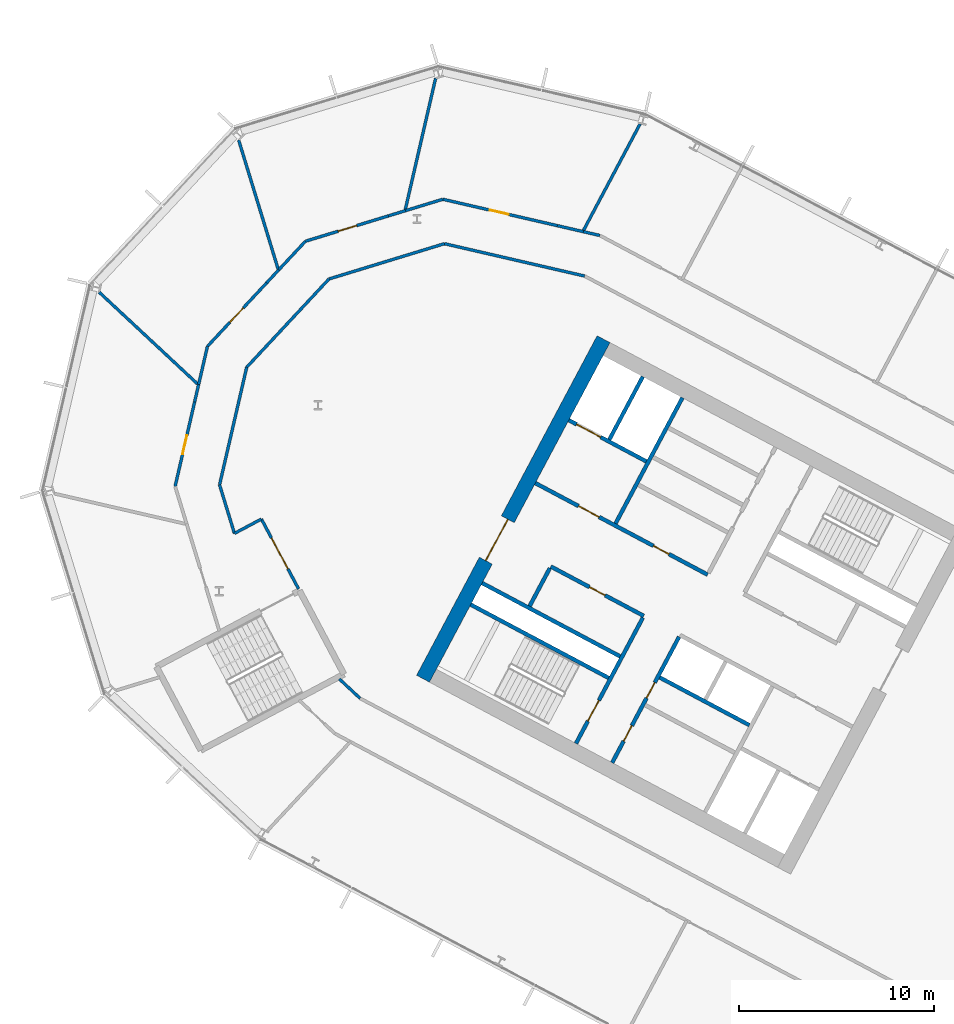
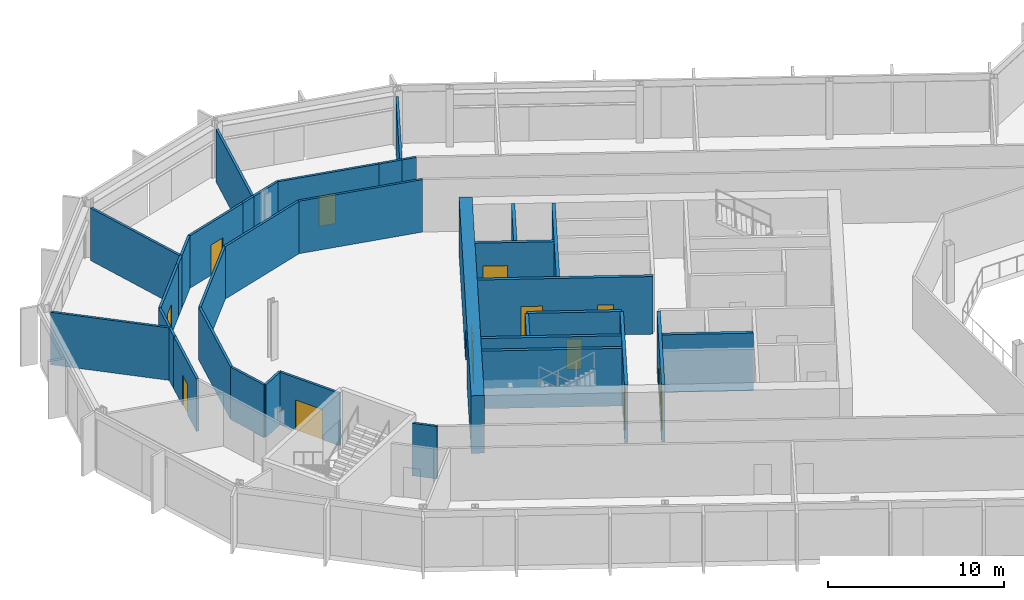
# One storey, part 14 of 28: 36 walls, 13 doors, 13 openings.
"""IFC4 building model written with IfcOpenShell, lengths in metres."""

from ifc_helpers import new_model, si_unit, direction, frame, frame_2d, origin, place, context, subcontext, project, spatial, rectangle, extrude, material, layer, layer_set, type_object, element, fill, save


model = new_model("IFC4")

# Units and contexts
model_context = context("Model", 3, precision=1e-05, world=origin(), true_north=direction((0.0, 1.0)))
body_context = subcontext(model_context, "Body", "Model", "MODEL_VIEW")
ifc_project = project(units=[si_unit("LENGTHUNIT", "METRE"), si_unit("AREAUNIT", "SQUARE_METRE"), si_unit("VOLUMEUNIT", "CUBIC_METRE"), si_unit("PLANEANGLEUNIT", "RADIAN"), si_unit("MASSUNIT", "GRAM", prefix="KILO")], contexts=[model_context])

# Site, building, storey
site_placement = place(None, origin())
site = spatial("IfcSite", under=ifc_project, at=site_placement, CompositionType="ELEMENT")
building_placement = place(site_placement, origin())
building = spatial("IfcBuilding", under=site, at=building_placement, Name="Cormorant Relay Tower", CompositionType="ELEMENT")
storey_placement = place(building_placement, frame((0.0, 0.0, 158.199951171875)))
storey = spatial("IfcBuildingStorey", under=building, at=storey_placement, Name="L33", CompositionType="ELEMENT", Elevation=158.199951171875)

# Wall, openings, doors
ifc_material_1 = material(Name="Concrete 50 MPa", Category="concrete")
ifc_layer_1 = layer(ifc_material_1, 0.199951171875)
ifc_layer_set_1 = layer_set([ifc_layer_1], Name="Core shaft wall 200")
wall_type_1 = type_object("IfcWallType", Name="Core shaft wall 200", PredefinedType="SHEAR", material=ifc_layer_set_1)
wall_1_placement = place(storey_placement, frame((-28.128173828125, 12.91748046875, 0.0), z_axis=(0.0, 0.0, 1.0), x_axis=(-0.469454336211, -0.882956752176, 0.0)))
wall_1 = element("IfcWall", 1, at=wall_1_placement, inside=storey, type_object=wall_type_1, Name="L33 core A shaft wall", PredefinedType="SHEAR", context=body_context, shape_type="SweptSolid", body=[
    extrude(rectangle(XDim=7.300048828125, YDim=0.199951171875, at=frame_2d((3.64990234375, 0.0))), origin(), (0.0, 0.0, 1.0), 4.0),
])
opening_1_placement = place(wall_1_placement, frame((2.64990234375, 0.0, 0.0)))
opening_1 = element("IfcOpeningElement", 2, at=opening_1_placement, cuts=wall_1, Name="Opening CDD-172", PredefinedType="OPENING", context=body_context, shape_type="SweptSolid", body=[
    extrude(rectangle(XDim=0.89990234375, YDim=2.10009765625, at=frame_2d((0.449951171875, 1.050048828125))), frame((0.0, 0.10986328125, 0.0), z_axis=(0.0, -1.0, 0.0), x_axis=(1.0, 0.0, 0.0)), (0.0, 0.0, 1.0), 0.219970703125),
])
opening_2_placement = place(wall_1_placement, frame((5.14990234375, 0.0, 0.0)))
opening_2 = element("IfcOpeningElement", 3, at=opening_2_placement, cuts=wall_1, Name="Opening CDD-173", PredefinedType="OPENING", context=body_context, shape_type="SweptSolid", body=[
    extrude(rectangle(XDim=0.89990234375, YDim=2.10009765625, at=frame_2d((0.449951171875, 1.050048828125))), frame((0.0, 0.10986328125, 0.0), z_axis=(0.0, -1.0, 0.0), x_axis=(1.0, 0.0, 0.0)), (0.0, 0.0, 1.0), 0.219970703125),
])
ifc_material_2 = material(Name="Steel fire door", Category="steel")
door_type_1 = type_object("IfcDoorType", Name="Core room door 900x2100", OperationType="SINGLE_SWING_LEFT", PredefinedType="DOOR", material=ifc_material_2)
door_1_placement = place(opening_1_placement, origin())
door_1 = element("IfcDoor", 4, at=door_1_placement, inside=storey, type_object=door_type_1, Name="Core room door 900x2100", OperationType="SINGLE_SWING_LEFT", OverallHeight=2.10009765625, OverallWidth=0.89990234375, PredefinedType="DOOR", context=body_context, shape_type="SweptSolid", body=[
    extrude(rectangle(XDim=0.89990234375, YDim=2.10009765625, at=frame_2d((0.449951171875, 1.050048828125))), frame((0.0, 0.02490234375, 0.0), z_axis=(0.0, -1.0, 0.0), x_axis=(1.0, 0.0, 0.0)), (0.0, 0.0, 1.0), 0.050048828125),
])
fill(opening_1, door_1)
door_2_placement = place(opening_2_placement, origin())
door_2 = element("IfcDoor", 5, at=door_2_placement, inside=storey, type_object=door_type_1, Name="Core room door 900x2100", OperationType="SINGLE_SWING_LEFT", OverallHeight=2.10009765625, OverallWidth=0.89990234375, PredefinedType="DOOR", context=body_context, shape_type="SweptSolid", body=[
    extrude(rectangle(XDim=0.89990234375, YDim=2.10009765625, at=frame_2d((0.449951171875, 1.050048828125))), frame((0.0, 0.02490234375, 0.0), z_axis=(0.0, -1.0, 0.0), x_axis=(1.0, 0.0, 0.0)), (0.0, 0.0, 1.0), 0.050048828125),
])
fill(opening_2, door_2)

# Wall, opening, door
wall_2_placement = place(storey_placement, frame((-29.982421875, 13.9033203125, 0.0), z_axis=(0.0, 0.0, 1.0), x_axis=(-0.469454336211, -0.882956752176, 0.0)))
wall_2 = element("IfcWall", 6, at=wall_2_placement, inside=storey, type_object=wall_type_1, Name="L33 core A shaft wall", PredefinedType="SHEAR", context=body_context, shape_type="SweptSolid", body=[
    extrude(rectangle(XDim=7.300048828125, YDim=0.199951171875, at=frame_2d((3.64990234375, 0.0))), origin(), (0.0, 0.0, 1.0), 4.0),
])
opening_3_placement = place(wall_2_placement, frame((4.800048828125, 0.0, 0.0)))
opening_3 = element("IfcOpeningElement", 7, at=opening_3_placement, cuts=wall_2, Name="Opening CDB-035", PredefinedType="OPENING", context=body_context, shape_type="SweptSolid", body=[
    extrude(rectangle(XDim=1.199951171875, YDim=2.10009765625, at=frame_2d((0.60009765625, 1.050048828125))), frame((0.0, 0.10986328125, 0.0), z_axis=(0.0, -1.0, 0.0), x_axis=(1.0, 0.0, 0.0)), (0.0, 0.0, 1.0), 0.219970703125),
])
ifc_material_3 = material(Name="Steel fire door", Category="steel")
door_type_2 = type_object("IfcDoorType", Name="Core stair door 1200x2100", OperationType="SINGLE_SWING_LEFT", PredefinedType="DOOR", material=ifc_material_3)
door_3_placement = place(opening_3_placement, frame((1.199951171875, 0.0, 0.0), z_axis=(0.0, 0.0, 1.0), x_axis=(-1.0, 0.0, 0.0)))
door_3 = element("IfcDoor", 8, at=door_3_placement, inside=storey, type_object=door_type_2, Name="Core stair door 1200x2100", OperationType="SINGLE_SWING_RIGHT", OverallHeight=2.10009765625, OverallWidth=1.199951171875, PredefinedType="DOOR", context=body_context, shape_type="SweptSolid", body=[
    extrude(rectangle(XDim=1.199951171875, YDim=2.10009765625, at=frame_2d((0.60009765625, 1.050048828125))), frame((0.0, 0.02490234375, 0.0), z_axis=(0.0, -1.0, 0.0), x_axis=(1.0, 0.0, 0.0)), (0.0, 0.0, 1.0), 0.050048828125),
])
fill(opening_3, door_3)

# Walls
wall_3_placement = place(storey_placement, frame((-27.955322265625, 25.170654296875, 0.0), z_axis=(0.0, 0.0, 1.0), x_axis=(-0.469480409012, -0.88294288918, 0.0)))
element("IfcWall", 9, at=wall_3_placement, inside=storey, type_object=wall_type_1, Name="L33 core A shaft wall", PredefinedType="SHEAR", context=body_context, shape_type="SweptSolid", body=[
    extrude(rectangle(XDim=7.300048828125, YDim=0.199951171875, at=frame_2d((3.64990234375, 0.0))), origin(), (0.0, 0.0, 1.0), 4.0),
])
wall_4_placement = place(storey_placement, frame((-34.750244140625, 16.4384765625, 0.0), z_axis=(0.0, 0.0, 1.0), x_axis=(-0.469401318492, -0.882984938828, 0.0)))
element("IfcWall", 10, at=wall_4_placement, inside=storey, type_object=wall_type_1, Name="L33 core A shaft wall", PredefinedType="SHEAR", context=body_context, shape_type="SweptSolid", body=[
    extrude(rectangle(XDim=2.199951171875, YDim=0.199951171875, at=frame_2d((1.10009765625, 0.0))), origin(), (0.0, 0.0, 1.0), 4.0),
])
wall_5_placement = place(storey_placement, frame((-29.986083984375, 26.250244140625, 0.0), z_axis=(0.0, 0.0, 1.0), x_axis=(-0.469494272526, -0.882935517501, 0.0)))
element("IfcWall", 11, at=wall_5_placement, inside=storey, type_object=wall_type_1, Name="L33 core A shaft wall", PredefinedType="SHEAR", context=body_context, shape_type="SweptSolid", body=[
    extrude(rectangle(XDim=3.64990234375, YDim=0.199951171875, at=frame_2d((1.824951171875, 0.0))), origin(), (0.0, 0.0, 1.0), 4.0),
])

# Wall, opening, door
wall_6_placement = place(storey_placement, frame((-29.80419921875, 21.906494140625, 0.0), z_axis=(0.0, 0.0, 1.0), x_axis=(-0.882960433586, 0.469447412093, 0.0)))
wall_6 = element("IfcWall", 12, at=wall_6_placement, inside=storey, type_object=wall_type_1, Name="L33 core A shaft wall", PredefinedType="SHEAR", context=body_context, shape_type="SweptSolid", body=[
    extrude(rectangle(XDim=4.5, YDim=0.199951171875, at=frame_2d((2.25, 0.0))), origin(), (0.0, 0.0, 1.0), 4.0),
])
opening_4_placement = place(wall_6_placement, frame((2.64990234375, 0.0, 0.0)))
opening_4 = element("IfcOpeningElement", 13, at=opening_4_placement, cuts=wall_6, Name="Opening LD3-013", PredefinedType="OPENING", context=body_context, shape_type="SweptSolid", body=[
    extrude(rectangle(XDim=1.39990234375, YDim=2.39990234375, at=frame_2d((0.699951171875, 1.199951171875))), frame((0.0, 0.10986328125, 0.0), z_axis=(0.0, -1.0, 0.0), x_axis=(1.0, 0.0, 0.0)), (0.0, 0.0, 1.0), 0.219970703125),
])
ifc_material_4 = material(Name="Stainless steel 316", Category="steel")
door_type_3 = type_object("IfcDoorType", Name="Lift landing door 1400x2400", OperationType="DOUBLE_DOOR_SLIDING", PredefinedType="DOOR", material=ifc_material_4)
door_4_placement = place(opening_4_placement, origin())
door_4 = element("IfcDoor", 14, at=door_4_placement, inside=storey, type_object=door_type_3, Name="SV1 landing door", OperationType="DOUBLE_DOOR_SLIDING", OverallHeight=2.39990234375, OverallWidth=1.39990234375, PredefinedType="DOOR", context=body_context, shape_type="SweptSolid", body=[
    extrude(rectangle(XDim=1.39990234375, YDim=2.39990234375, at=frame_2d((0.699951171875, 1.199951171875))), frame((0.0, 0.02490234375, 0.0), z_axis=(0.0, -1.0, 0.0), x_axis=(1.0, 0.0, 0.0)), (0.0, 0.0, 1.0), 0.050048828125),
])
fill(opening_4, door_4)

# Wall, openings, doors
wall_7_placement = place(storey_placement, frame((-26.66162109375, 16.1015625, 0.0), z_axis=(0.0, 0.0, 1.0), x_axis=(-0.882940221191, 0.469485426614, 0.0)))
wall_7 = element("IfcWall", 15, at=wall_7_placement, inside=storey, type_object=wall_type_1, Name="L33 core A shaft wall", PredefinedType="SHEAR", context=body_context, shape_type="SweptSolid", body=[
    extrude(rectangle(XDim=10.0, YDim=0.199951171875, at=frame_2d((5.0, 0.0))), origin(), (0.0, 0.0, 1.0), 4.0),
])
opening_5_placement = place(wall_7_placement, frame((6.300048828125, 0.0, 0.0)))
opening_5 = element("IfcOpeningElement", 16, at=opening_5_placement, cuts=wall_7, Name="Opening CDC-026", PredefinedType="OPENING", context=body_context, shape_type="SweptSolid", body=[
    extrude(rectangle(XDim=1.199951171875, YDim=2.10009765625, at=frame_2d((0.60009765625, 1.050048828125))), frame((0.0, 0.10986328125, 0.0), z_axis=(0.0, -1.0, 0.0), x_axis=(1.0, 0.0, 0.0)), (0.0, 0.0, 1.0), 0.219970703125),
])
opening_6_placement = place(wall_7_placement, frame((2.25, 0.0, 0.0)))
opening_6 = element("IfcOpeningElement", 17, at=opening_6_placement, cuts=wall_7, Name="Opening CDD-207", PredefinedType="OPENING", context=body_context, shape_type="SweptSolid", body=[
    extrude(rectangle(XDim=0.89990234375, YDim=2.10009765625, at=frame_2d((0.449951171875, 1.050048828125))), frame((0.0, 0.10986328125, 0.0), z_axis=(0.0, -1.0, 0.0), x_axis=(1.0, 0.0, 0.0)), (0.0, 0.0, 1.0), 0.219970703125),
])
ifc_material_5 = material(Name="Steel fire door", Category="steel")
door_type_4 = type_object("IfcDoorType", Name="Core lobby door 1200x2100", OperationType="SINGLE_SWING_LEFT", PredefinedType="DOOR", material=ifc_material_5)
door_5_placement = place(opening_5_placement, origin())
door_5 = element("IfcDoor", 18, at=door_5_placement, inside=storey, type_object=door_type_4, Name="Core lobby door 1200x2100", OperationType="SINGLE_SWING_LEFT", OverallHeight=2.10009765625, OverallWidth=1.199951171875, PredefinedType="DOOR", context=body_context, shape_type="SweptSolid", body=[
    extrude(rectangle(XDim=1.199951171875, YDim=2.10009765625, at=frame_2d((0.60009765625, 1.050048828125))), frame((0.0, 0.02490234375, 0.0), z_axis=(0.0, -1.0, 0.0), x_axis=(1.0, 0.0, 0.0)), (0.0, 0.0, 1.0), 0.050048828125),
])
fill(opening_5, door_5)
door_6_placement = place(opening_6_placement, origin())
door_6 = element("IfcDoor", 19, at=door_6_placement, inside=storey, type_object=door_type_1, Name="Core room door 900x2100", OperationType="SINGLE_SWING_LEFT", OverallHeight=2.10009765625, OverallWidth=0.89990234375, PredefinedType="DOOR", context=body_context, shape_type="SweptSolid", body=[
    extrude(rectangle(XDim=0.89990234375, YDim=2.10009765625, at=frame_2d((0.449951171875, 1.050048828125))), frame((0.0, 0.02490234375, 0.0), z_axis=(0.0, -1.0, 0.0), x_axis=(1.0, 0.0, 0.0)), (0.0, 0.0, 1.0), 0.050048828125),
])
fill(opening_6, door_6)

# Wall, opening, door
wall_8_placement = place(storey_placement, frame((-29.935302734375, 13.991455078125, 0.0), z_axis=(0.0, 0.0, 1.0), x_axis=(-0.882952937579, 0.469461510692, 0.0)))
wall_8 = element("IfcWall", 20, at=wall_8_placement, inside=storey, type_object=wall_type_1, Name="L33 core A shaft wall", PredefinedType="SHEAR", context=body_context, shape_type="SweptSolid", body=[
    extrude(rectangle(XDim=5.400146484375, YDim=0.199951171875, at=frame_2d((2.7001953125, 0.0))), origin(), (0.0, 0.0, 1.0), 4.0),
])
opening_7_placement = place(wall_8_placement, frame((2.25, 0.0, 0.0)))
opening_7 = element("IfcOpeningElement", 21, at=opening_7_placement, cuts=wall_8, Name="Opening CDD-184", PredefinedType="OPENING", context=body_context, shape_type="SweptSolid", body=[
    extrude(rectangle(XDim=0.89990234375, YDim=2.10009765625, at=frame_2d((0.449951171875, 1.050048828125))), frame((0.0, 0.10986328125, 0.0), z_axis=(0.0, -1.0, 0.0), x_axis=(1.0, 0.0, 0.0)), (0.0, 0.0, 1.0), 0.219970703125),
])
door_7_placement = place(opening_7_placement, origin())
door_7 = element("IfcDoor", 22, at=door_7_placement, inside=storey, type_object=door_type_1, Name="Core room door 900x2100", OperationType="SINGLE_SWING_LEFT", OverallHeight=2.10009765625, OverallWidth=0.89990234375, PredefinedType="DOOR", context=body_context, shape_type="SweptSolid", body=[
    extrude(rectangle(XDim=0.89990234375, YDim=2.10009765625, at=frame_2d((0.449951171875, 1.050048828125))), frame((0.0, 0.02490234375, 0.0), z_axis=(0.0, -1.0, 0.0), x_axis=(1.0, 0.0, 0.0)), (0.0, 0.0, 1.0), 0.050048828125),
])
fill(opening_7, door_7)

# Walls
wall_9_placement = place(storey_placement, frame((-24.5283203125, 8.3984375, 0.0), z_axis=(0.0, 0.0, 1.0), x_axis=(-0.882953967957, 0.469459572775, 0.0)))
element("IfcWall", 23, at=wall_9_placement, inside=storey, type_object=wall_type_1, Name="L33 core A shaft wall", PredefinedType="SHEAR", context=body_context, shape_type="SweptSolid", body=[
    extrude(rectangle(XDim=5.199951171875, YDim=0.199951171875, at=frame_2d((2.60009765625, 0.0))), origin(), (0.0, 0.0, 1.0), 4.0),
])
for number, where, z_axis, x_axis, name in (
    (24, (-31.150390625, 11.91943359375, 0.0), (0.0, 0.0, 1.0), (-0.882940221191, 0.469485426614, 0.0), "L33 core A shaft wall"),
    (25, (-31.7373046875, 10.815673828125, 0.0), (0.0, 0.0, 1.0), (-0.882940221191, 0.469485426614, 0.0), "L33 core A shaft wall"),
):
    element("IfcWall", number, at=place(storey_placement, frame(where, z_axis=z_axis, x_axis=x_axis)), inside=storey, type_object=wall_type_1, Name=name, PredefinedType="SHEAR", context=body_context, shape_type="SweptSolid", body=[
        extrude(rectangle(XDim=8.0, YDim=0.199951171875, at=frame_2d((4.0, 0.0))), origin(), (0.0, 0.0, 1.0), 4.0),
    ])

# Wall, opening, door
ifc_material_6 = material(Name="Concrete 60 MPa", Category="concrete")
ifc_layer_2 = layer(ifc_material_6, 0.75)
ifc_layer_set_2 = layer_set([ifc_layer_2], Name="Core wall 750")
wall_type_2 = type_object("IfcWallType", Name="Core wall 750", PredefinedType="SHEAR", material=ifc_layer_set_2)
wall_10_placement = place(storey_placement, frame((-31.995849609375, 28.16845703125, 0.0), z_axis=(0.0, 0.0, 1.0), x_axis=(-0.469479580143, -0.882943329908, 0.0)))
wall_10 = element("IfcWall", 26, at=wall_10_placement, inside=storey, type_object=wall_type_2, Name="L33 core A wall", PredefinedType="SHEAR", context=body_context, shape_type="SweptSolid", body=[
    extrude(rectangle(XDim=19.699951171875, YDim=0.75, at=frame_2d((9.85009765625, 0.0))), origin(), (0.0, 0.0, 1.0), 4.0),
])
opening_8_placement = place(wall_10_placement, frame((10.449951171875, 0.0, 0.0)))
opening_8 = element("IfcOpeningElement", 27, at=opening_8_placement, cuts=wall_10, Name="Opening CDA-027", PredefinedType="OPENING", context=body_context, shape_type="SweptSolid", body=[
    extrude(rectangle(XDim=2.39990234375, YDim=2.39990234375, at=frame_2d((1.199951171875, 1.199951171875))), frame((0.0, 0.385009765625, 0.0), z_axis=(0.0, -1.0, 0.0), x_axis=(1.0, 0.0, 0.0)), (0.0, 0.0, 1.0), 0.77001953125),
])
ifc_material_7 = material(Name="Steel fire door", Category="steel")
door_type_5 = type_object("IfcDoorType", Name="Core lobby door 2400x2400", OperationType="DOUBLE_DOOR_SINGLE_SWING", PredefinedType="DOOR", material=ifc_material_7)
door_8_placement = place(opening_8_placement, origin())
door_8 = element("IfcDoor", 28, at=door_8_placement, inside=storey, type_object=door_type_5, Name="Core lobby door 2400x2400", OperationType="DOUBLE_DOOR_SINGLE_SWING", OverallHeight=2.39990234375, OverallWidth=2.39990234375, PredefinedType="DOOR", context=body_context, shape_type="SweptSolid", body=[
    extrude(rectangle(XDim=2.39990234375, YDim=2.39990234375, at=frame_2d((1.199951171875, 1.199951171875))), frame((0.0, 0.02490234375, 0.0), z_axis=(0.0, -1.0, 0.0), x_axis=(1.0, 0.0, 0.0)), (0.0, 0.0, 1.0), 0.050048828125),
])
fill(opening_8, door_8)

ifc_material_8 = material(Name="Gypsum board fire partition")
ifc_layer_3 = layer(ifc_material_8, 0.14990234375)
ifc_layer_set_3 = layer_set([ifc_layer_3], Name="Corridor partition 150 EI 60")
wall_type_3 = type_object("IfcWallType", Name="Corridor partition 150 EI 60", PredefinedType="PARTITIONING", material=ifc_layer_set_3)
wall_11_placement = place(storey_placement, frame((-52.944091796875, 24.9560546875, 0.0), z_axis=(0.0, 0.0, 1.0), x_axis=(-0.225004075032, -0.974357822475, 0.0)))
wall_11 = element("IfcWall", 29, at=wall_11_placement, inside=storey, type_object=wall_type_3, Name="wall/L33/part/004", PredefinedType="PARTITIONING", context=body_context, shape_type="SweptSolid", body=[
    extrude(rectangle(XDim=4.43994140625, YDim=0.14990234375, at=frame_2d((2.219970703125, 0.0))), origin(), (0.0, 0.0, 1.0), 3.64013671875),
])
opening_9_placement = place(wall_11_placement, frame((1.75, 0.0, 0.0)))
opening_9 = element("IfcOpeningElement", 30, at=opening_9_placement, cuts=wall_11, Name="Opening DS-057", PredefinedType="OPENING", context=body_context, shape_type="SweptSolid", body=[
    extrude(rectangle(XDim=1.0, YDim=2.10009765625, at=frame_2d((0.5, 1.050048828125))), frame((0.0, 0.0849609375, 0.0), z_axis=(0.0, -1.0, 0.0), x_axis=(1.0, 0.0, 0.0)), (0.0, 0.0, 1.0), 0.169921875),
])
ifc_material_9 = material(Name="Timber door leaf", Category="wood")
door_type_6 = type_object("IfcDoorType", Name="Suite door 1000x2100", OperationType="SINGLE_SWING_LEFT", PredefinedType="DOOR", material=ifc_material_9)
door_9_placement = place(opening_9_placement, frame((1.0, 0.0, 0.0), z_axis=(0.0, 0.0, 1.0), x_axis=(-1.0, 0.0, 0.0)))
door_9 = element("IfcDoor", 31, at=door_9_placement, inside=storey, type_object=door_type_6, Name="door/L33/015", OperationType="SINGLE_SWING_RIGHT", OverallHeight=2.10009765625, OverallWidth=1.0, PredefinedType="DOOR", context=body_context, shape_type="SweptSolid", body=[
    extrude(rectangle(XDim=1.0, YDim=2.10009765625, at=frame_2d((0.5, 1.050048828125))), frame((0.0, 0.02490234375, 0.0), z_axis=(0.0, -1.0, 0.0), x_axis=(1.0, 0.0, 0.0)), (0.0, 0.0, 1.0), 0.050048828125),
])
fill(opening_9, door_9)

# Wall
wall_12_placement = place(storey_placement, frame((-52.944091796875, 24.9560546875, 0.0), z_axis=(0.0, 0.0, 1.0), x_axis=(0.224898245089, 0.974382255255, 0.0)))
element("IfcWall", 32, at=wall_12_placement, inside=storey, type_object=wall_type_3, Name="wall/L33/part/007", PredefinedType="PARTITIONING", context=body_context, shape_type="SweptSolid", body=[
    extrude(rectangle(XDim=0.920654296875, YDim=0.14990234375, at=frame_2d((0.46044921875, 0.0))), origin(), (0.0, 0.0, 1.0), 3.64013671875),
])

# Wall, opening, door
wall_13_placement = place(storey_placement, frame((-49.260009765625, 31.048095703125, 0.0), z_axis=(0.0, 0.0, 1.0), x_axis=(-0.682006580668, -0.731346035694, 0.0)))
wall_13 = element("IfcWall", 33, at=wall_13_placement, inside=storey, type_object=wall_type_3, Name="wall/L33/part/008", PredefinedType="PARTITIONING", context=body_context, shape_type="SweptSolid", body=[
    extrude(rectangle(XDim=4.4384765625, YDim=0.14990234375, at=frame_2d((2.21923828125, 0.0))), origin(), (0.0, 0.0, 1.0), 3.64013671875),
])
opening_10_placement = place(wall_13_placement, frame((1.7509765625, 0.0, 0.0)))
opening_10 = element("IfcOpeningElement", 34, at=opening_10_placement, cuts=wall_13, Name="Opening DS-056", PredefinedType="OPENING", context=body_context, shape_type="SweptSolid", body=[
    extrude(rectangle(XDim=1.0, YDim=2.10009765625, at=frame_2d((0.5, 1.050048828125))), frame((0.0, 0.0849609375, 0.0), z_axis=(0.0, -1.0, 0.0), x_axis=(1.0, 0.0, 0.0)), (0.0, 0.0, 1.0), 0.169921875),
])
door_10_placement = place(opening_10_placement, frame((1.0, 0.0, 0.0), z_axis=(0.0, 0.0, 1.0), x_axis=(-1.0, 0.0, 0.0)))
door_10 = element("IfcDoor", 35, at=door_10_placement, inside=storey, type_object=door_type_6, Name="door/L33/014", OperationType="SINGLE_SWING_RIGHT", OverallHeight=2.10009765625, OverallWidth=1.0, PredefinedType="DOOR", context=body_context, shape_type="SweptSolid", body=[
    extrude(rectangle(XDim=1.0, YDim=2.10009765625, at=frame_2d((0.5, 1.050048828125))), frame((0.0, 0.02490234375, 0.0), z_axis=(0.0, -1.0, 0.0), x_axis=(1.0, 0.0, 0.0)), (0.0, 0.0, 1.0), 0.050048828125),
])
fill(opening_10, door_10)

# Walls
wall_14_placement = place(storey_placement, frame((-52.287109375, 27.802001953125, 0.0), z_axis=(0.0, 0.0, 1.0), x_axis=(-0.224948647558, -0.974370620432, 0.0)))
element("IfcWall", 36, at=wall_14_placement, inside=storey, type_object=wall_type_3, Name="wall/L33/part/009", PredefinedType="PARTITIONING", context=body_context, shape_type="SweptSolid", body=[
    extrude(rectangle(XDim=2.000244140625, YDim=0.14990234375, at=frame_2d((1.0, 0.0))), origin(), (0.0, 0.0, 1.0), 3.64013671875),
])
wall_15_placement = place(storey_placement, frame((-49.260009765625, 31.048095703125, 0.0), z_axis=(0.0, 0.0, 1.0), x_axis=(0.68175139462, 0.731583922687, 0.0)))
element("IfcWall", 37, at=wall_15_placement, inside=storey, type_object=wall_type_3, Name="wall/L33/part/013", PredefinedType="PARTITIONING", context=body_context, shape_type="SweptSolid", body=[
    extrude(rectangle(XDim=0.921142578125, YDim=0.14990234375, at=frame_2d((0.46044921875, 0.0))), origin(), (0.0, 0.0, 1.0), 3.64013671875),
])
wall_16_placement = place(storey_placement, frame((-47.26708984375, 33.18505859375, 0.0), z_axis=(0.0, 0.0, 1.0), x_axis=(-0.682157389431, -0.731205372002, 0.0)))
element("IfcWall", 38, at=wall_16_placement, inside=storey, type_object=wall_type_3, Name="wall/L33/part/014", PredefinedType="PARTITIONING", context=body_context, shape_type="SweptSolid", body=[
    extrude(rectangle(XDim=2.0009765625, YDim=0.14990234375, at=frame_2d((1.00048828125, 0.0))), origin(), (0.0, 0.0, 1.0), 3.64013671875),
])

# Wall, opening, door
wall_17_placement = place(storey_placement, frame((-47.26806640625, 33.18505859375, 0.0), z_axis=(0.0, 0.0, 1.0), x_axis=(0.956324248272, 0.292307940652, 0.0)))
wall_17 = element("IfcWall", 39, at=wall_17_placement, inside=storey, type_object=wall_type_3, Name="wall/L33/part/015", PredefinedType="PARTITIONING", context=body_context, shape_type="SweptSolid", body=[
    extrude(rectangle(XDim=4.43994140625, YDim=0.14990234375, at=frame_2d((2.219970703125, 0.0))), origin(), (0.0, 0.0, 1.0), 3.64013671875),
])
opening_11_placement = place(wall_17_placement, frame((1.75, 0.0, 0.0)))
opening_11 = element("IfcOpeningElement", 40, at=opening_11_placement, cuts=wall_17, Name="Opening DS-055", PredefinedType="OPENING", context=body_context, shape_type="SweptSolid", body=[
    extrude(rectangle(XDim=1.0, YDim=2.10009765625, at=frame_2d((0.5, 1.050048828125))), frame((0.0, 0.0849609375, 0.0), z_axis=(0.0, -1.0, 0.0), x_axis=(1.0, 0.0, 0.0)), (0.0, 0.0, 1.0), 0.169921875),
])
door_11_placement = place(opening_11_placement, origin())
door_11 = element("IfcDoor", 41, at=door_11_placement, inside=storey, type_object=door_type_6, Name="door/L33/013", OperationType="SINGLE_SWING_RIGHT", OverallHeight=2.10009765625, OverallWidth=1.0, PredefinedType="DOOR", context=body_context, shape_type="SweptSolid", body=[
    extrude(rectangle(XDim=1.0, YDim=2.10009765625, at=frame_2d((0.5, 1.050048828125))), frame((0.0, 0.02490234375, 0.0), z_axis=(0.0, -1.0, 0.0), x_axis=(1.0, 0.0, 0.0)), (0.0, 0.0, 1.0), 0.050048828125),
])
fill(opening_11, door_11)

wall_18_placement = place(storey_placement, frame((-47.62109375, 15.3779296875, 0.0), z_axis=(0.0, 0.0, 1.0), x_axis=(-0.469542997944, 0.882909606404, 0.0)))
wall_18 = element("IfcWall", 42, at=wall_18_placement, inside=storey, type_object=wall_type_3, Name="wall/L33/part/016", PredefinedType="PARTITIONING", context=body_context, shape_type="SweptSolid", body=[
    extrude(rectangle(XDim=4.050537109375, YDim=0.14990234375, at=frame_2d((2.025390625, 0.0))), origin(), (0.0, 0.0, 1.0), 3.64013671875),
])
opening_12_placement = place(wall_18_placement, frame((1.14990234375, 0.0, 0.0)))
opening_12 = element("IfcOpeningElement", 43, at=opening_12_placement, cuts=wall_18, Name="Opening DD-005", PredefinedType="OPENING", context=body_context, shape_type="SweptSolid", body=[
    extrude(rectangle(XDim=1.800048828125, YDim=2.10009765625, at=frame_2d((0.89990234375, 1.050048828125))), frame((0.0, 0.0849609375, 0.0), z_axis=(0.0, -1.0, 0.0), x_axis=(1.0, 0.0, 0.0)), (0.0, 0.0, 1.0), 0.169921875),
])
ifc_material_10 = material(Name="Timber door leaf", Category="wood")
door_type_7 = type_object("IfcDoorType", Name="Suite double door 1800x2100", OperationType="DOUBLE_DOOR_SINGLE_SWING", PredefinedType="DOOR", material=ifc_material_10)
door_12_placement = place(opening_12_placement, frame((1.800048828125, 0.0, 0.0), z_axis=(0.0, 0.0, 1.0), x_axis=(-1.0, 0.0, 0.0)))
door_12 = element("IfcDoor", 44, at=door_12_placement, inside=storey, type_object=door_type_7, Name="door/L33/001", OperationType="DOUBLE_DOOR_SINGLE_SWING", OverallHeight=2.10009765625, OverallWidth=1.800048828125, PredefinedType="DOOR", context=body_context, shape_type="SweptSolid", body=[
    extrude(rectangle(XDim=1.800048828125, YDim=2.10009765625, at=frame_2d((0.89990234375, 1.050048828125))), frame((0.0, 0.02490234375, 0.0), z_axis=(0.0, -1.0, 0.0), x_axis=(1.0, 0.0, 0.0)), (0.0, 0.0, 1.0), 0.050048828125),
])
fill(opening_12, door_12)

# Walls
wall_19_placement = place(storey_placement, frame((-49.52294921875, 18.9541015625, 0.0), z_axis=(0.0, 0.0, 1.0), x_axis=(-0.882883395231, -0.469592281053, 0.0)))
element("IfcWall", 45, at=wall_19_placement, inside=storey, type_object=wall_type_3, Name="wall/L33/part/017", PredefinedType="PARTITIONING", context=body_context, shape_type="SweptSolid", body=[
    extrude(rectangle(XDim=1.5654296875, YDim=0.14990234375, at=frame_2d((0.78271484375, 0.0))), origin(), (0.0, 0.0, 1.0), 3.64013671875),
])
wall_20_placement = place(storey_placement, frame((-50.905029296875, 18.218994140625, 0.0), z_axis=(0.0, 0.0, 1.0), x_axis=(-0.292616300327, 0.956229941376, 0.0)))
element("IfcWall", 46, at=wall_20_placement, inside=storey, type_object=wall_type_3, Name="wall/L33/part/018", PredefinedType="PARTITIONING", context=body_context, shape_type="SweptSolid", body=[
    extrude(rectangle(XDim=2.60400390625, YDim=0.14990234375, at=frame_2d((1.302001953125, 0.0))), origin(), (0.0, 0.0, 1.0), 3.64013671875),
])
wall_21_placement = place(storey_placement, frame((-51.6669921875, 20.708984375, 0.0), z_axis=(0.0, 0.0, 1.0), x_axis=(0.225044109818, 0.974348576556, 0.0)))
element("IfcWall", 47, at=wall_21_placement, inside=storey, type_object=wall_type_3, Name="wall/L33/part/019", PredefinedType="PARTITIONING", context=body_context, shape_type="SweptSolid", body=[
    extrude(rectangle(XDim=6.181396484375, YDim=0.14990234375, at=frame_2d((3.0908203125, 0.0))), origin(), (0.0, 0.0, 1.0), 3.64013671875),
])
wall_22_placement = place(storey_placement, frame((-50.27587890625, 26.73193359375, 0.0), z_axis=(0.0, 0.0, 1.0), x_axis=(0.681907204976, 0.731438694494, 0.0)))
element("IfcWall", 48, at=wall_22_placement, inside=storey, type_object=wall_type_3, Name="wall/L33/part/020", PredefinedType="PARTITIONING", context=body_context, shape_type="SweptSolid", body=[
    extrude(rectangle(XDim=6.180908203125, YDim=0.14990234375, at=frame_2d((3.09033203125, 0.0))), origin(), (0.0, 0.0, 1.0), 3.64013671875),
])
wall_23_placement = place(storey_placement, frame((-46.06103515625, 31.2529296875, 0.0), z_axis=(0.0, 0.0, 1.0), x_axis=(0.956322135821, 0.292314851724, 0.0)))
element("IfcWall", 49, at=wall_23_placement, inside=storey, type_object=wall_type_3, Name="wall/L33/part/021", PredefinedType="PARTITIONING", context=body_context, shape_type="SweptSolid", body=[
    extrude(rectangle(XDim=6.18212890625, YDim=0.14990234375, at=frame_2d((3.091064453125, 0.0))), origin(), (0.0, 0.0, 1.0), 3.64013671875),
])
wall_24_placement = place(storey_placement, frame((-40.14892578125, 33.06005859375, 0.0), z_axis=(0.0, 0.0, 1.0), x_axis=(0.97439342778, -0.224849834111, 0.0)))
element("IfcWall", 50, at=wall_24_placement, inside=storey, type_object=wall_type_3, Name="wall/L33/part/022", PredefinedType="PARTITIONING", context=body_context, shape_type="SweptSolid", body=[
    extrude(rectangle(XDim=7.37353515625, YDim=0.14990234375, at=frame_2d((3.686767578125, 0.0))), origin(), (0.0, 0.0, 1.0), 3.64013671875),
])
wall_25_placement = place(storey_placement, frame((-44.467041015625, 9.76904296875, 0.0), z_axis=(0.0, 0.0, 1.0), x_axis=(-0.731027453332, 0.682348050833, 0.0)))
element("IfcWall", 51, at=wall_25_placement, inside=storey, type_object=wall_type_3, Name="wall/L33/part/030", PredefinedType="PARTITIONING", context=body_context, shape_type="SweptSolid", body=[
    extrude(rectangle(XDim=1.45947265625, YDim=0.14990234375, at=frame_2d((0.729736328125, 0.0))), origin(), (0.0, 0.0, 1.0), 3.64013671875),
])
wall_26_placement = place(storey_placement, frame((-43.02197265625, 34.48291015625, 0.0), z_axis=(0.0, 0.0, 1.0), x_axis=(0.956293877443, 0.29240728439, 0.0)))
element("IfcWall", 52, at=wall_26_placement, inside=storey, type_object=wall_type_3, Name="wall/L33/part/032", PredefinedType="PARTITIONING", context=body_context, shape_type="SweptSolid", body=[
    extrude(rectangle(XDim=0.920166015625, YDim=0.14990234375, at=frame_2d((0.4599609375, 0.0))), origin(), (0.0, 0.0, 1.0), 3.64013671875),
])

# Wall, opening, door
wall_27_placement = place(storey_placement, frame((-34.364990234375, 33.98291015625, 0.0), z_axis=(0.0, 0.0, 1.0), x_axis=(-0.974398716152, 0.224826915563, 0.0)))
wall_27 = element("IfcWall", 53, at=wall_27_placement, inside=storey, type_object=wall_type_3, Name="wall/L33/part/034", PredefinedType="PARTITIONING", context=body_context, shape_type="SweptSolid", body=[
    extrude(rectangle(XDim=6.01806640625, YDim=0.14990234375, at=frame_2d((3.009033203125, 0.0))), origin(), (0.0, 0.0, 1.0), 3.64013671875),
])
opening_13_placement = place(wall_27_placement, frame((2.550048828125, 0.0, 0.0)))
opening_13 = element("IfcOpeningElement", 54, at=opening_13_placement, cuts=wall_27, Name="Opening DS-054", PredefinedType="OPENING", context=body_context, shape_type="SweptSolid", body=[
    extrude(rectangle(XDim=1.0, YDim=2.10009765625, at=frame_2d((0.5, 1.050048828125))), frame((0.0, 0.0849609375, 0.0), z_axis=(0.0, -1.0, 0.0), x_axis=(1.0, 0.0, 0.0)), (0.0, 0.0, 1.0), 0.169921875),
])
door_13_placement = place(opening_13_placement, frame((1.0, 0.0, 0.0), z_axis=(0.0, 0.0, 1.0), x_axis=(-1.0, 0.0, 0.0)))
door_13 = element("IfcDoor", 55, at=door_13_placement, inside=storey, type_object=door_type_6, Name="door/L33/012", OperationType="SINGLE_SWING_RIGHT", OverallHeight=2.10009765625, OverallWidth=1.0, PredefinedType="DOOR", context=body_context, shape_type="SweptSolid", body=[
    extrude(rectangle(XDim=1.0, YDim=2.10009765625, at=frame_2d((0.5, 1.050048828125))), frame((0.0, 0.02490234375, 0.0), z_axis=(0.0, -1.0, 0.0), x_axis=(1.0, 0.0, 0.0)), (0.0, 0.0, 1.0), 0.050048828125),
])
fill(opening_13, door_13)

# Walls
wall_28_placement = place(storey_placement, frame((-40.22900390625, 35.3359375, 0.0), z_axis=(0.0, 0.0, 1.0), x_axis=(-0.956431126108, -0.291958046663, 0.0)))
element("IfcWall", 56, at=wall_28_placement, inside=storey, type_object=wall_type_3, Name="wall/L33/part/035", PredefinedType="PARTITIONING", context=body_context, shape_type="SweptSolid", body=[
    extrude(rectangle(XDim=2.000244140625, YDim=0.14990234375, at=frame_2d((1.0, 0.0))), origin(), (0.0, 0.0, 1.0), 3.64013671875),
])
wall_29_placement = place(storey_placement, frame((-34.364990234375, 33.98291015625, 0.0), z_axis=(0.0, 0.0, 1.0), x_axis=(0.974424223159, -0.224716339686, 0.0)))
element("IfcWall", 57, at=wall_29_placement, inside=storey, type_object=wall_type_3, Name="wall/L33/part/036", PredefinedType="PARTITIONING", context=body_context, shape_type="SweptSolid", body=[
    extrude(rectangle(XDim=1.3701171875, YDim=0.14990234375, at=frame_2d((0.68505859375, 0.0))), origin(), (0.0, 0.0, 1.0), 3.64013671875),
])
wall_30_placement = place(storey_placement, frame((-32.18701171875, 33.47998046875, 0.0), z_axis=(0.0, 0.0, 1.0), x_axis=(-0.97425787626, 0.225436444579, 0.0)))
element("IfcWall", 58, at=wall_30_placement, inside=storey, type_object=wall_type_3, Name="wall/L33/part/038", PredefinedType="PARTITIONING", context=body_context, shape_type="SweptSolid", body=[
    extrude(rectangle(XDim=0.865234375, YDim=0.14990234375, at=frame_2d((0.4326171875, 0.0))), origin(), (0.0, 0.0, 1.0), 3.64013671875),
])
ifc_material_11 = material(Name="Gypsum board partition")
ifc_layer_4 = layer(ifc_material_11, 0.14990234375)
ifc_layer_set_4 = layer_set([ifc_layer_4], Name="Tenant partition 150")
wall_type_4 = type_object("IfcWallType", Name="Tenant partition 150", PredefinedType="PARTITIONING", material=ifc_layer_set_4)
wall_31_placement = place(storey_placement, frame((-57.841064453125, 30.580078125, 0.0), z_axis=(0.0, 0.0, 1.0), x_axis=(0.731419737189, -0.68192753871, 0.0)))
element("IfcWall", 59, at=wall_31_placement, inside=storey, type_object=wall_type_4, Name="wall/L33/part/002", PredefinedType="PARTITIONING", context=body_context, shape_type="SweptSolid", body=[
    extrude(rectangle(XDim=6.97021484375, YDim=0.14990234375, at=frame_2d((3.485107421875, 0.0))), origin(), (0.0, 0.0, 1.0), 3.64013671875),
])
for number, where, z_axis, x_axis, name in (
    (60, (-50.68798828125, 38.365966796875, 0.0), (0.0, 0.0, 1.0), (0.292460621622, -0.956277566819, 0.0), "wall/L33/part/010"),
    (61, (-40.59912109375, 41.533935546875, 0.0), (0.0, 0.0, 1.0), (-0.224987437389, -0.974361664382, 0.0), "wall/L33/part/033"),
):
    element("IfcWall", number, at=place(storey_placement, frame(where, z_axis=z_axis, x_axis=x_axis)), inside=storey, type_object=wall_type_4, Name=name, PredefinedType="PARTITIONING", context=body_context, shape_type="SweptSolid", body=[
        extrude(rectangle(XDim=6.96875, YDim=0.14990234375, at=frame_2d((3.484375, 0.0))), origin(), (0.0, 0.0, 1.0), 3.64013671875),
    ])
wall_32_placement = place(storey_placement, frame((-30.12890625, 39.18798828125, 0.0), z_axis=(0.0, 0.0, 1.0), x_axis=(-0.469448075874, -0.882960080671, 0.0)))
element("IfcWall", 62, at=wall_32_placement, inside=storey, type_object=wall_type_4, Name="wall/L33/part/037", PredefinedType="PARTITIONING", context=body_context, shape_type="SweptSolid", body=[
    extrude(rectangle(XDim=6.237060546875, YDim=0.14990234375, at=frame_2d((3.11865234375, 0.0))), origin(), (0.0, 0.0, 1.0), 3.64013671875),
])

save(model, "model.ifc")
